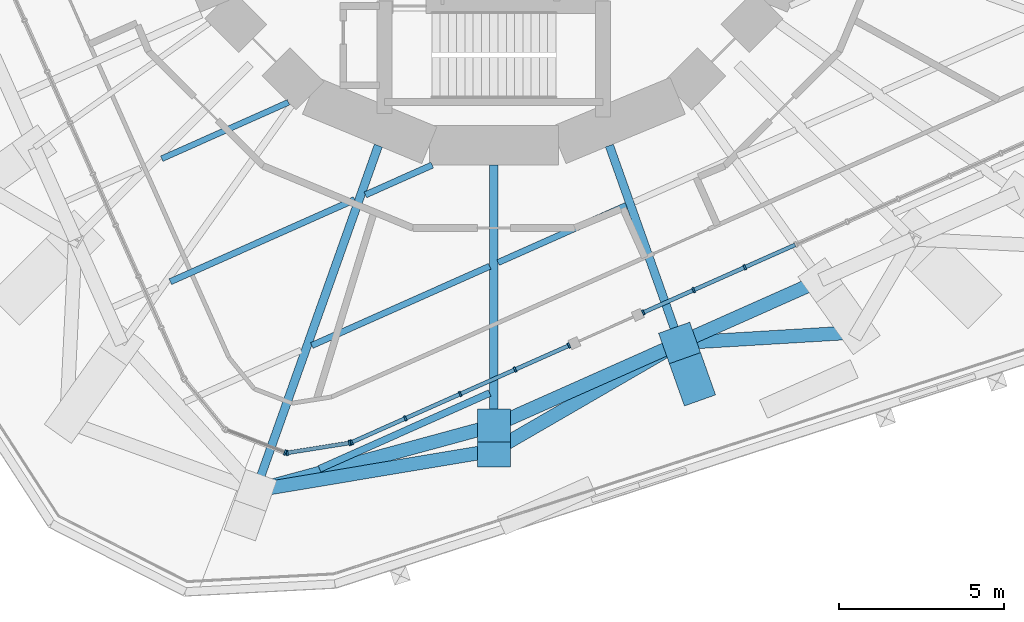
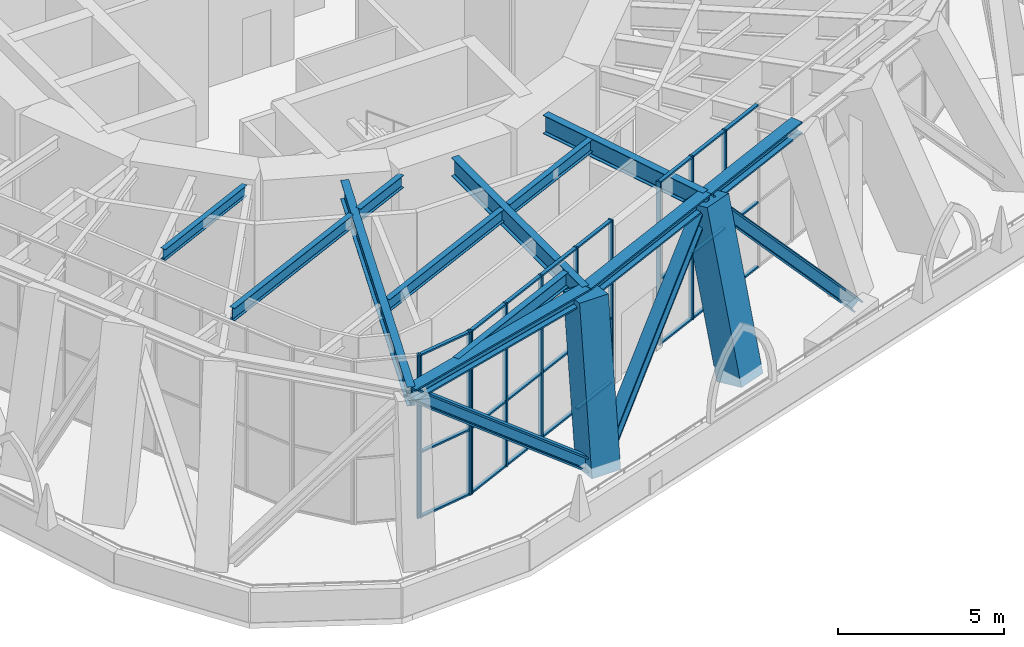
# One storey, part 2 of 18: 43 members, 9 beams, 4 elements without a shape of their own.
"""IFC4 building model written with IfcOpenShell, lengths in metres."""

from ifc_helpers import new_model, si_unit, direction, frame, origin, origin_2d, place, context, subcontext, project, spatial, rectangle, i_section, extrude, material, material_profile, profile_set, type_object, element, aggregate, save


model = new_model("IFC4")

# Units and contexts
model_context = context("Model", 3, precision=1e-05, world=origin(), true_north=direction((0.0, 1.0)))
body_context = subcontext(model_context, "Body", "Model", "MODEL_VIEW")
ifc_project = project(units=[si_unit("LENGTHUNIT", "METRE"), si_unit("AREAUNIT", "SQUARE_METRE"), si_unit("VOLUMEUNIT", "CUBIC_METRE"), si_unit("PLANEANGLEUNIT", "RADIAN"), si_unit("MASSUNIT", "GRAM", prefix="KILO")], contexts=[model_context])

# Site, building, storey
site_placement = place(None, origin())
site = spatial("IfcSite", under=ifc_project, at=site_placement, CompositionType="ELEMENT")
building_placement = place(site_placement, origin())
building = spatial("IfcBuilding", under=site, at=building_placement, Name="Nakasero Lantern House", CompositionType="ELEMENT")
storey_placement = place(building_placement, frame((0.0, 0.0, 176.449951171875)))
storey = spatial("IfcBuildingStorey", under=building, at=storey_placement, Name="L43", CompositionType="ELEMENT", Elevation=176.449951171875)

# Members
ifc_material_1 = material(Name="Steel S355", Category="steel")
ifc_material_profile_1 = material_profile(ifc_material_1, i_section(OverallWidth=0.412109375, OverallDepth=0.4365234375, WebThickness=0.035888671875, FlangeThickness=0.05810546875, FilletRadius=0.01513671875, at=origin_2d()), Name="UC 356x406x467")
ifc_profile_set_1 = profile_set([ifc_material_profile_1], Name="Steel S355")
member_type_1 = type_object("IfcMemberType", Name="Belt truss chord UC 356x406x467", PredefinedType="CHORD", material=ifc_profile_set_1)
member_1_placement = place(storey_placement, frame((-7.19482421875, -20.2353515625, 5.581787109375), z_axis=(0.965015017941, 0.26219461312, 0.0), x_axis=(-0.26219461312, 0.965015017941, 0.0)))
element("IfcMember", 1, at=member_1_placement, inside=storey, type_object=member_type_1, Name="Belt truss top chord T4 B5-C20T", PredefinedType="CHORD", context=body_context, shape_type="SweptSolid", body=[
    extrude(i_section(OverallWidth=0.412109375, OverallDepth=0.4365234375, WebThickness=0.035888671875, FlangeThickness=0.05810546875, FilletRadius=0.01513671875, at=origin_2d()), origin(), (0.0, 0.0, 1.0), 7.45556640625),
])
member_2_placement = place(storey_placement, frame((0.0, -18.280517578125, 5.581787109375), z_axis=(0.913532698569, 0.406765299215, 0.0), x_axis=(-0.406765299215, 0.913532698569, 0.0)))
element("IfcMember", 2, at=member_2_placement, inside=storey, type_object=member_type_1, Name="Belt truss top chord T4 B5-C21T", PredefinedType="CHORD", context=body_context, shape_type="SweptSolid", body=[
    extrude(i_section(OverallWidth=0.412109375, OverallDepth=0.4365234375, WebThickness=0.035888671875, FlangeThickness=0.05810546875, FilletRadius=0.01513671875, at=origin_2d()), origin(), (0.0, 0.0, 1.0), 6.142333984375),
])
member_3_placement = place(storey_placement, frame((5.611328125, -15.781982421875, 5.581787109375), z_axis=(0.913561058639, 0.406701600856, 0.0), x_axis=(-0.406701600856, 0.913561058639, 0.0)))
element("IfcMember", 3, at=member_3_placement, inside=storey, type_object=member_type_1, Name="Belt truss top chord T4 B5-C22T", PredefinedType="CHORD", context=body_context, shape_type="SweptSolid", body=[
    extrude(i_section(OverallWidth=0.412109375, OverallDepth=0.4365234375, WebThickness=0.035888671875, FlangeThickness=0.05810546875, FilletRadius=0.01513671875, at=origin_2d()), origin(), (0.0, 0.0, 1.0), 4.66552734375),
])
ifc_material_2 = material(Name="Steel S355", Category="steel")
ifc_material_profile_2 = material_profile(ifc_material_2, i_section(OverallWidth=0.412109375, OverallDepth=0.4365234375, WebThickness=0.035888671875, FlangeThickness=0.05810546875, FilletRadius=0.01513671875, at=origin_2d()), Name="UC 356x406x467")
ifc_profile_set_2 = profile_set([ifc_material_profile_2], Name="Steel S355")
member_type_2 = type_object("IfcMemberType", Name="Belt truss diagonal UC 356x406x467", PredefinedType="BRACE", material=ifc_profile_set_2)
member_4_placement = place(storey_placement, frame((-7.19482421875, -20.2353515625, 5.581787109375), z_axis=(0.761731318786, 0.127454941735, -0.635232741448), x_axis=(-0.165028505636, 0.986288797628, 0.0)))
element("IfcMember", 4, at=member_4_placement, inside=storey, type_object=member_type_2, Name="Belt truss diagonal T4-20", PredefinedType="BRACE", context=body_context, shape_type="SweptSolid", body=[
    extrude(i_section(OverallWidth=0.412109375, OverallDepth=0.4365234375, WebThickness=0.035888671875, FlangeThickness=0.05810546875, FilletRadius=0.01513671875, at=origin_2d()), origin(), (0.0, 0.0, 1.0), 9.4453125),
])
member_5_placement = place(storey_placement, frame((0.0, -19.031494140625, -0.418212890625), z_axis=(0.635169188668, 0.367825526504, 0.679164548412), x_axis=(-0.501134222309, 0.865369569162, 0.0)))
element("IfcMember", 5, at=member_5_placement, inside=storey, type_object=member_type_2, Name="Belt truss diagonal T4-21", PredefinedType="BRACE", context=body_context, shape_type="SweptSolid", body=[
    extrude(i_section(OverallWidth=0.412109375, OverallDepth=0.4365234375, WebThickness=0.035888671875, FlangeThickness=0.05810546875, FilletRadius=0.01513671875, at=origin_2d()), origin(), (0.0, 0.0, 1.0), 8.83447265625),
])
member_6_placement = place(storey_placement, frame((5.611328125, -15.781982421875, 5.581787109375), z_axis=(0.66720161227, 0.039980645489, -0.743803439472), x_axis=(-0.059815589761, 0.998209444566, 0.0)))
element("IfcMember", 6, at=member_6_placement, inside=storey, type_object=member_type_2, Name="Belt truss diagonal T4-22", PredefinedType="BRACE", context=body_context, shape_type="SweptSolid", body=[
    extrude(i_section(OverallWidth=0.412109375, OverallDepth=0.4365234375, WebThickness=0.035888671875, FlangeThickness=0.05810546875, FilletRadius=0.01513671875, at=origin_2d()), origin(), (0.0, 0.0, 1.0), 8.066650390625),
])

# Beams
ifc_material_3 = material(Name="Steel S355", Category="steel")
ifc_material_profile_3 = material_profile(ifc_material_3, i_section(OverallWidth=0.177978515625, OverallDepth=0.406494140625, WebThickness=0.0078125, FlangeThickness=0.0126953125, FilletRadius=0.01025390625, at=origin_2d()), Name="UB 406x178x60")
ifc_profile_set_3 = profile_set([ifc_material_profile_3], Name="Steel S355")
beam_type_1 = type_object("IfcBeamType", Name="Infill beam UB 406x178x60", PredefinedType="JOIST", material=ifc_profile_set_3)
beam_1_placement = place(storey_placement, frame((-10.03564453125, -10.21484375, 5.596923828125), z_axis=(0.9135518518, 0.406722281258, 0.0), x_axis=(-0.406722281258, 0.9135518518, 0.0)))
element("IfcBeam", 7, at=beam_1_placement, inside=storey, type_object=beam_type_1, Name="Infill beam L44 06.2", PredefinedType="JOIST", context=body_context, shape_type="SweptSolid", body=[
    extrude(i_section(OverallWidth=0.177978515625, OverallDepth=0.406494140625, WebThickness=0.0078125, FlangeThickness=0.0126953125, FilletRadius=0.01025390625, at=origin_2d()), origin(), (0.0, 0.0, 1.0), 4.18994140625),
])
ifc_material_4 = material(Name="Steel S355", Category="steel")
ifc_material_profile_4 = material_profile(ifc_material_4, i_section(OverallWidth=0.18994140625, OverallDepth=0.453369140625, WebThickness=0.008544921875, FlangeThickness=0.0126953125, FilletRadius=0.01025390625, at=origin_2d()), Name="UB 457x191x67")
ifc_profile_set_4 = profile_set([ifc_material_profile_4], Name="Steel S355")
beam_type_2 = type_object("IfcBeamType", Name="Infill beam UB 457x191x67", PredefinedType="JOIST", material=ifc_profile_set_4)
beam_2_placement = place(storey_placement, frame((-5.503173828125, -15.859375, 5.5732421875), z_axis=(0.913551328744, 0.40672345611, 0.0), x_axis=(-0.40672345611, 0.913551328744, 0.0)))
element("IfcBeam", 8, at=beam_2_placement, inside=storey, type_object=beam_type_2, Name="Infill beam L44 04.2", PredefinedType="JOIST", context=body_context, shape_type="SweptSolid", body=[
    extrude(i_section(OverallWidth=0.18994140625, OverallDepth=0.453369140625, WebThickness=0.008544921875, FlangeThickness=0.0126953125, FilletRadius=0.01025390625, at=origin_2d()), origin(), (0.0, 0.0, 1.0), 5.885009765625),
])
beam_3_placement = place(storey_placement, frame((0.126953125, -13.352783203125, 5.5732421875), z_axis=(0.913547765637, 0.406731459196, 0.0), x_axis=(-0.406731459196, 0.913547765637, 0.0)))
element("IfcBeam", 9, at=beam_3_placement, inside=storey, type_object=beam_type_2, Name="Infill beam L44 04.3", PredefinedType="JOIST", context=body_context, shape_type="SweptSolid", body=[
    extrude(i_section(OverallWidth=0.18994140625, OverallDepth=0.453369140625, WebThickness=0.008544921875, FlangeThickness=0.0126953125, FilletRadius=0.01025390625, at=origin_2d()), origin(), (0.0, 0.0, 1.0), 4.239501953125),
])
ifc_material_5 = material(Name="Steel S355", Category="steel")
ifc_material_profile_5 = material_profile(ifc_material_5, i_section(OverallWidth=0.19140625, OverallDepth=0.4599609375, WebThickness=0.010009765625, FlangeThickness=0.01611328125, FilletRadius=0.01025390625, at=origin_2d()), Name="UB 457x191x82")
ifc_profile_set_5 = profile_set([ifc_material_profile_5], Name="Steel S355")
beam_type_3 = type_object("IfcBeamType", Name="Infill beam UB 457x191x82", PredefinedType="JOIST", material=ifc_profile_set_5)
beam_4_placement = place(storey_placement, frame((-9.778076171875, -13.931640625, 5.570068359375), z_axis=(0.913533974993, 0.40676243255, 0.0), x_axis=(-0.40676243255, 0.913533974993, 0.0)))
element("IfcBeam", 10, at=beam_4_placement, inside=storey, type_object=beam_type_3, Name="Infill beam L44 05.2", PredefinedType="JOIST", context=body_context, shape_type="SweptSolid", body=[
    extrude(i_section(OverallWidth=0.19140625, OverallDepth=0.4599609375, WebThickness=0.010009765625, FlangeThickness=0.01611328125, FilletRadius=0.01025390625, at=origin_2d()), origin(), (0.0, 0.0, 1.0), 6.09814453125),
])
beam_5_placement = place(storey_placement, frame((-3.884765625, -11.3076171875, 5.570068359375), z_axis=(0.913570185623, 0.406681098577, 0.0), x_axis=(-0.406681098577, 0.913570185623, 0.0)))
element("IfcBeam", 11, at=beam_5_placement, inside=storey, type_object=beam_type_3, Name="Infill beam L44 05.3", PredefinedType="JOIST", context=body_context, shape_type="SweptSolid", body=[
    extrude(i_section(OverallWidth=0.19140625, OverallDepth=0.4599609375, WebThickness=0.010009765625, FlangeThickness=0.01611328125, FilletRadius=0.01025390625, at=origin_2d()), origin(), (0.0, 0.0, 1.0), 2.212158203125),
])
ifc_material_6 = material(Name="Steel S355", Category="steel")
ifc_material_profile_6 = material_profile(ifc_material_6, i_section(OverallWidth=0.2099609375, OverallDepth=0.53662109375, WebThickness=0.0107421875, FlangeThickness=0.017333984375, FilletRadius=0.0126953125, at=origin_2d()), Name="UB 533x210x101")
ifc_profile_set_6 = profile_set([ifc_material_profile_6], Name="Steel S355")
beam_type_4 = type_object("IfcBeamType", Name="Infill beam UB 533x210x101", PredefinedType="JOIST", material=ifc_profile_set_6)
beam_6_placement = place(storey_placement, frame((-5.26953125, -19.586669921875, 5.53173828125), z_axis=(0.913550244227, 0.406725892061, 0.0), x_axis=(-0.406725892061, 0.913550244227, 0.0)))
element("IfcBeam", 12, at=beam_6_placement, inside=storey, type_object=beam_type_4, Name="Infill beam L44 03.1", PredefinedType="JOIST", context=body_context, shape_type="SweptSolid", body=[
    extrude(i_section(OverallWidth=0.2099609375, OverallDepth=0.53662109375, WebThickness=0.0107421875, FlangeThickness=0.017333984375, FilletRadius=0.0126953125, at=origin_2d()), origin(), (0.0, 0.0, 1.0), 5.629150390625),
])

# Curtain wall, member
ifc_material_7 = material(Name="Aluminium 6063-T6 and glass", Category="aluminium")
curtain_wall_type = type_object("IfcCurtainWallType", Name="Sky lounge glazing CW-3", PredefinedType="USERDEFINED", material=ifc_material_7)
curtain_wall_1_placement = place(storey_placement, origin())
curtain_wall_1 = element("IfcCurtainWall", 13, at=curtain_wall_1_placement, inside=storey, type_object=curtain_wall_type, Name="Curtain wall CW-3 L43", ObjectType="STICK CURTAIN WALL", PredefinedType="USERDEFINED")
ifc_material_8 = material(Name="Aluminium 6063-T6", Category="aluminium")
ifc_material_profile_7 = material_profile(ifc_material_8, rectangle(XDim=0.06005859375, YDim=0.159912109375, at=origin_2d()), Name="CW-3 mullion 60x160")
ifc_profile_set_7 = profile_set([ifc_material_profile_7], Name="Aluminium 6063-T6")
member_type_3 = type_object("IfcMemberType", Name="Mullion CW-3", PredefinedType="MULLION", material=ifc_profile_set_7)
member_7_placement = place(storey_placement, frame((-6.3056640625, -19.0966796875, 0.0), z_axis=(0.0, 0.0, 1.0), x_axis=(0.933580426497, -0.358367949545, 0.0)))
member_7 = element("IfcMember", 14, at=member_7_placement, type_object=member_type_3, Name="CW-3 mullion 2", PredefinedType="MULLION", context=body_context, shape_type="SweptSolid", body=[
    extrude(rectangle(XDim=0.06005859375, YDim=0.159912109375, at=origin_2d()), origin(), (0.0, 0.0, 1.0), 6.0),
])
aggregate(curtain_wall_1, [member_7])

# Curtain wall, members
curtain_wall_2_placement = place(storey_placement, origin())
curtain_wall_2 = element("IfcCurtainWall", 15, at=curtain_wall_2_placement, inside=storey, type_object=curtain_wall_type, Name="Curtain wall CW-3 L43", ObjectType="STICK CURTAIN WALL", PredefinedType="USERDEFINED")
member_8_placement = place(storey_placement, frame((-6.247802734375, -19.102783203125, 0.0), z_axis=(0.0, 0.0, 1.0), x_axis=(0.987688340595, 0.15643446504, 0.0)))
member_8 = element("IfcMember", 16, at=member_8_placement, type_object=member_type_3, Name="CW-3 mullion 1", PredefinedType="MULLION", context=body_context, shape_type="SweptSolid", body=[
    extrude(rectangle(XDim=0.06005859375, YDim=0.159912109375, at=origin_2d()), origin(), (0.0, 0.0, 1.0), 6.0),
])
member_9_placement = place(storey_placement, frame((-4.357666015625, -18.80322265625, 0.0), z_axis=(0.0, 0.0, 1.0), x_axis=(0.987688340595, 0.15643446504, 0.0)))
member_9 = element("IfcMember", 17, at=member_9_placement, type_object=member_type_3, Name="CW-3 mullion 2", PredefinedType="MULLION", context=body_context, shape_type="SweptSolid", body=[
    extrude(rectangle(XDim=0.06005859375, YDim=0.159912109375, at=origin_2d()), origin(), (0.0, 0.0, 1.0), 6.0),
])

curtain_wall_3_placement = place(storey_placement, origin())
curtain_wall_3 = element("IfcCurtainWall", 18, at=curtain_wall_3_placement, inside=storey, type_object=curtain_wall_type, Name="Curtain wall CW-3 L43", ObjectType="STICK CURTAIN WALL", PredefinedType="USERDEFINED")
member_10_placement = place(storey_placement, frame((-4.30078125, -18.786376953125, 0.0), z_axis=(0.0, 0.0, 1.0), x_axis=(0.913545457643, 0.406736643076, 0.0)))
member_10 = element("IfcMember", 19, at=member_10_placement, type_object=member_type_3, Name="CW-3 mullion 1", PredefinedType="MULLION", context=body_context, shape_type="SweptSolid", body=[
    extrude(rectangle(XDim=0.06005859375, YDim=0.159912109375, at=origin_2d()), origin(), (0.0, 0.0, 1.0), 6.0),
])
member_11_placement = place(storey_placement, frame((-2.67236328125, -18.0615234375, 0.0), z_axis=(0.0, 0.0, 1.0), x_axis=(0.913545457643, 0.406736643076, 0.0)))
member_11 = element("IfcMember", 20, at=member_11_placement, type_object=member_type_3, Name="CW-3 mullion 2", PredefinedType="MULLION", context=body_context, shape_type="SweptSolid", body=[
    extrude(rectangle(XDim=0.06005859375, YDim=0.159912109375, at=origin_2d()), origin(), (0.0, 0.0, 1.0), 6.0),
])
member_12_placement = place(storey_placement, frame((-1.0166015625, -17.32421875, 0.0), z_axis=(0.0, 0.0, 1.0), x_axis=(0.913545457643, 0.406736643076, 0.0)))
member_12 = element("IfcMember", 21, at=member_12_placement, type_object=member_type_3, Name="CW-3 mullion 3", PredefinedType="MULLION", context=body_context, shape_type="SweptSolid", body=[
    extrude(rectangle(XDim=0.06005859375, YDim=0.159912109375, at=origin_2d()), origin(), (0.0, 0.0, 1.0), 6.0),
])
member_13_placement = place(storey_placement, frame((0.639404296875, -16.5869140625, 0.0), z_axis=(0.0, 0.0, 1.0), x_axis=(0.913545457643, 0.406736643076, 0.0)))
member_13 = element("IfcMember", 22, at=member_13_placement, type_object=member_type_3, Name="CW-3 mullion 4", PredefinedType="MULLION", context=body_context, shape_type="SweptSolid", body=[
    extrude(rectangle(XDim=0.06005859375, YDim=0.159912109375, at=origin_2d()), origin(), (0.0, 0.0, 1.0), 6.0),
])
member_14_placement = place(storey_placement, frame((2.267822265625, -15.862060546875, 0.0), z_axis=(0.0, 0.0, 1.0), x_axis=(0.913545457643, 0.406736643076, 0.0)))
member_14 = element("IfcMember", 23, at=member_14_placement, type_object=member_type_3, Name="CW-3 mullion 5", PredefinedType="MULLION", context=body_context, shape_type="SweptSolid", body=[
    extrude(rectangle(XDim=0.06005859375, YDim=0.159912109375, at=origin_2d()), origin(), (0.0, 0.0, 1.0), 6.0),
])

curtain_wall_4_placement = place(storey_placement, origin())
curtain_wall_4 = element("IfcCurtainWall", 24, at=curtain_wall_4_placement, inside=storey, type_object=curtain_wall_type, Name="Curtain wall CW-3 L43", ObjectType="STICK CURTAIN WALL", PredefinedType="USERDEFINED")
member_15_placement = place(storey_placement, frame((4.51513671875, -14.861328125, 0.0), z_axis=(0.0, 0.0, 1.0), x_axis=(0.913545457643, 0.406736643076, 0.0)))
member_15 = element("IfcMember", 25, at=member_15_placement, type_object=member_type_3, Name="CW-3 mullion 1", PredefinedType="MULLION", context=body_context, shape_type="SweptSolid", body=[
    extrude(rectangle(XDim=0.06005859375, YDim=0.159912109375, at=origin_2d()), origin(), (0.0, 0.0, 1.0), 6.0),
])
member_16_placement = place(storey_placement, frame((6.034912109375, -14.184814453125, 0.0), z_axis=(0.0, 0.0, 1.0), x_axis=(0.913545457643, 0.406736643076, 0.0)))
member_16 = element("IfcMember", 26, at=member_16_placement, type_object=member_type_3, Name="CW-3 mullion 2", PredefinedType="MULLION", context=body_context, shape_type="SweptSolid", body=[
    extrude(rectangle(XDim=0.06005859375, YDim=0.159912109375, at=origin_2d()), origin(), (0.0, 0.0, 1.0), 6.0),
])
member_17_placement = place(storey_placement, frame((7.582275390625, -13.495849609375, 0.0), z_axis=(0.0, 0.0, 1.0), x_axis=(0.913545457643, 0.406736643076, 0.0)))
member_17 = element("IfcMember", 27, at=member_17_placement, type_object=member_type_3, Name="CW-3 mullion 3", PredefinedType="MULLION", context=body_context, shape_type="SweptSolid", body=[
    extrude(rectangle(XDim=0.06005859375, YDim=0.159912109375, at=origin_2d()), origin(), (0.0, 0.0, 1.0), 6.0),
])

# Beams
ifc_material_9 = material(Name="Steel S355", Category="steel")
ifc_material_profile_8 = material_profile(ifc_material_9, i_section(OverallWidth=0.253662109375, OverallDepth=0.68359375, WebThickness=0.012451171875, FlangeThickness=0.01904296875, FilletRadius=0.01513671875, at=origin_2d()), Name="UB 686x254x140")
ifc_profile_set_8 = profile_set([ifc_material_profile_8], Name="Steel S355")
beam_type_5 = type_object("IfcBeamType", Name="Primary beam UB 686x254x140, span 6 to 9 m", PredefinedType="BEAM", material=ifc_profile_set_8)
beam_7_placement = place(storey_placement, frame((0.0, -18.280517578125, 5.458251953125), z_axis=(0.0, 1.0, 0.0), x_axis=(-1.0, 0.0, 0.0)))
element("IfcBeam", 28, at=beam_7_placement, inside=storey, type_object=beam_type_5, Name="Primary beam L44 B5-C21T", PredefinedType="BEAM", context=body_context, shape_type="SweptSolid", body=[
    extrude(i_section(OverallWidth=0.253662109375, OverallDepth=0.68359375, WebThickness=0.012451171875, FlangeThickness=0.01904296875, FilletRadius=0.01513671875, at=origin_2d()), origin(), (0.0, 0.0, 1.0), 7.87255859375),
])
beam_8_placement = place(storey_placement, frame((5.611328125, -15.781982421875, 5.458251953125), z_axis=(-0.335018800731, 0.942211442913, 0.0), x_axis=(-0.942211442913, -0.335018800731, 0.0)))
element("IfcBeam", 29, at=beam_8_placement, inside=storey, type_object=beam_type_5, Name="Primary beam L44 B5-C22T", PredefinedType="BEAM", context=body_context, shape_type="SweptSolid", body=[
    extrude(i_section(OverallWidth=0.253662109375, OverallDepth=0.68359375, WebThickness=0.012451171875, FlangeThickness=0.01904296875, FilletRadius=0.01513671875, at=origin_2d()), origin(), (0.0, 0.0, 1.0), 6.328369140625),
])
ifc_material_10 = material(Name="Steel S355", Category="steel")
ifc_material_profile_9 = material_profile(ifc_material_10, i_section(OverallWidth=0.255859375, OverallDepth=0.69287109375, WebThickness=0.014404296875, FlangeThickness=0.023681640625, FilletRadius=0.01513671875, at=origin_2d()), Name="UB 686x254x170")
ifc_profile_set_9 = profile_set([ifc_material_profile_9], Name="Steel S355")
beam_type_6 = type_object("IfcBeamType", Name="Primary beam UB 686x254x170, span 9 to 12 m", PredefinedType="BEAM", material=ifc_profile_set_9)
beam_9_placement = place(storey_placement, frame((-7.19482421875, -20.2353515625, 5.45361328125), z_axis=(0.335020995468, 0.942210662535, 0.0), x_axis=(-0.942210662535, 0.335020995468, 0.0)))
element("IfcBeam", 30, at=beam_9_placement, inside=storey, type_object=beam_type_6, Name="Primary beam L44 B5-C20T", PredefinedType="BEAM", context=body_context, shape_type="SweptSolid", body=[
    extrude(i_section(OverallWidth=0.255859375, OverallDepth=0.69287109375, WebThickness=0.014404296875, FlangeThickness=0.023681640625, FilletRadius=0.01513671875, at=origin_2d()), origin(), (0.0, 0.0, 1.0), 11.054931640625),
])

# Members
ifc_material_11 = material(Name="Concrete C50/60", Category="concrete")
ifc_material_profile_10 = material_profile(ifc_material_11, rectangle(XDim=1.0, YDim=1.0, at=origin_2d()), Name="RC 1000x1000")
ifc_profile_set_10 = profile_set([ifc_material_profile_10], Name="Concrete C50/60")
member_type_4 = type_object("IfcMemberType", Name="Raking column RC 1000x1000 C50/60", PredefinedType="STRUT", material=ifc_profile_set_10)
member_18_placement = place(storey_placement, frame((0.0, -19.031494140625, -0.418212890625), z_axis=(0.0, 0.1241937487, 0.992257987009), x_axis=(-1.0, 0.0, 0.0)))
element("IfcMember", 31, at=member_18_placement, inside=storey, type_object=member_type_4, Name="Raking column B5-C21T L43", PredefinedType="STRUT", context=body_context, shape_type="SweptSolid", body=[
    extrude(rectangle(XDim=1.0, YDim=1.0, at=origin_2d()), origin(), (0.0, 0.0, 1.0), 6.046875),
])
member_19_placement = place(storey_placement, frame((6.06591796875, -17.060546875, -0.418212890625), z_axis=(-0.073898606932, 0.207844792965, 0.975366360877), x_axis=(-0.942217214275, -0.335002568833, 0.0)))
element("IfcMember", 32, at=member_19_placement, inside=storey, type_object=member_type_4, Name="Raking column B5-C22T L43", PredefinedType="STRUT", context=body_context, shape_type="SweptSolid", body=[
    extrude(rectangle(XDim=1.0, YDim=1.0, at=origin_2d()), origin(), (0.0, 0.0, 1.0), 6.151611328125),
])

# Member
ifc_material_12 = material(Name="Aluminium 6063-T6", Category="aluminium")
ifc_material_profile_11 = material_profile(ifc_material_12, rectangle(XDim=0.06005859375, YDim=0.1201171875, at=origin_2d()), Name="CW-3 transom 60x120")
ifc_profile_set_11 = profile_set([ifc_material_profile_11], Name="Aluminium 6063-T6")
member_type_5 = type_object("IfcMemberType", Name="Transom CW-3", PredefinedType="USERDEFINED", material=ifc_profile_set_11)
member_20_placement = place(storey_placement, frame((-6.21826171875, -19.097900390625, 0.030029296875), z_axis=(0.987703088658, 0.156341321008, 0.0), x_axis=(0.0, 0.0, 1.0)))
member_20 = element("IfcMember", 33, at=member_20_placement, type_object=member_type_5, Name="CW-3 transom 1.1", ObjectType="TRANSOM", PredefinedType="USERDEFINED", context=body_context, shape_type="SweptSolid", body=[
    extrude(rectangle(XDim=0.06005859375, YDim=0.1201171875, at=origin_2d()), origin(), (0.0, 0.0, 1.0), 1.853515625),
])

member_21_placement = place(storey_placement, frame((-6.21826171875, -19.097900390625, 2.400146484375), z_axis=(0.987703088658, 0.156341321008, 0.0), x_axis=(0.0, 0.0, 1.0)))
member_21 = element("IfcMember", 34, at=member_21_placement, type_object=member_type_5, Name="CW-3 transom 1.2", ObjectType="TRANSOM", PredefinedType="USERDEFINED", context=body_context, shape_type="SweptSolid", body=[
    extrude(rectangle(XDim=0.06005859375, YDim=0.1201171875, at=origin_2d()), origin(), (0.0, 0.0, 1.0), 1.853515625),
])

member_22_placement = place(storey_placement, frame((-6.21826171875, -19.097900390625, 5.969970703125), z_axis=(0.987703088658, 0.156341321008, 0.0), x_axis=(0.0, 0.0, 1.0)))
member_22 = element("IfcMember", 35, at=member_22_placement, type_object=member_type_5, Name="CW-3 transom 1.3", ObjectType="TRANSOM", PredefinedType="USERDEFINED", context=body_context, shape_type="SweptSolid", body=[
    extrude(rectangle(XDim=0.06005859375, YDim=0.1201171875, at=origin_2d()), origin(), (0.0, 0.0, 1.0), 1.853515625),
])

aggregate(curtain_wall_2, [member_8, member_9, member_20, member_21, member_22])

member_23_placement = place(storey_placement, frame((-4.273193359375, -18.774169921875, 0.030029296875), z_axis=(0.913571731571, 0.406677625737, 0.0), x_axis=(0.0, 0.0, 1.0)))
member_23 = element("IfcMember", 36, at=member_23_placement, type_object=member_type_5, Name="CW-3 transom 1.1", ObjectType="TRANSOM", PredefinedType="USERDEFINED", context=body_context, shape_type="SweptSolid", body=[
    extrude(rectangle(XDim=0.06005859375, YDim=0.1201171875, at=origin_2d()), origin(), (0.0, 0.0, 1.0), 1.722412109375),
])

member_24_placement = place(storey_placement, frame((-4.273193359375, -18.774169921875, 2.400146484375), z_axis=(0.913571731571, 0.406677625737, 0.0), x_axis=(0.0, 0.0, 1.0)))
member_24 = element("IfcMember", 37, at=member_24_placement, type_object=member_type_5, Name="CW-3 transom 1.2", ObjectType="TRANSOM", PredefinedType="USERDEFINED", context=body_context, shape_type="SweptSolid", body=[
    extrude(rectangle(XDim=0.06005859375, YDim=0.1201171875, at=origin_2d()), origin(), (0.0, 0.0, 1.0), 1.722412109375),
])

member_25_placement = place(storey_placement, frame((-4.273193359375, -18.774169921875, 5.969970703125), z_axis=(0.913571731571, 0.406677625737, 0.0), x_axis=(0.0, 0.0, 1.0)))
member_25 = element("IfcMember", 38, at=member_25_placement, type_object=member_type_5, Name="CW-3 transom 1.3", ObjectType="TRANSOM", PredefinedType="USERDEFINED", context=body_context, shape_type="SweptSolid", body=[
    extrude(rectangle(XDim=0.06005859375, YDim=0.1201171875, at=origin_2d()), origin(), (0.0, 0.0, 1.0), 1.722412109375),
])

member_26_placement = place(storey_placement, frame((-2.644775390625, -18.04931640625, 0.030029296875), z_axis=(0.913512556201, 0.406810532882, 0.0), x_axis=(0.0, 0.0, 1.0)))
member_26 = element("IfcMember", 39, at=member_26_placement, type_object=member_type_5, Name="CW-3 transom 2.1", ObjectType="TRANSOM", PredefinedType="USERDEFINED", context=body_context, shape_type="SweptSolid", body=[
    extrude(rectangle(XDim=0.06005859375, YDim=0.1201171875, at=origin_2d()), origin(), (0.0, 0.0, 1.0), 1.75244140625),
])

member_27_placement = place(storey_placement, frame((-2.644775390625, -18.04931640625, 2.400146484375), z_axis=(0.913512556201, 0.406810532882, 0.0), x_axis=(0.0, 0.0, 1.0)))
member_27 = element("IfcMember", 40, at=member_27_placement, type_object=member_type_5, Name="CW-3 transom 2.2", ObjectType="TRANSOM", PredefinedType="USERDEFINED", context=body_context, shape_type="SweptSolid", body=[
    extrude(rectangle(XDim=0.06005859375, YDim=0.1201171875, at=origin_2d()), origin(), (0.0, 0.0, 1.0), 1.75244140625),
])

member_28_placement = place(storey_placement, frame((-2.644775390625, -18.04931640625, 5.969970703125), z_axis=(0.913512556201, 0.406810532882, 0.0), x_axis=(0.0, 0.0, 1.0)))
member_28 = element("IfcMember", 41, at=member_28_placement, type_object=member_type_5, Name="CW-3 transom 2.3", ObjectType="TRANSOM", PredefinedType="USERDEFINED", context=body_context, shape_type="SweptSolid", body=[
    extrude(rectangle(XDim=0.06005859375, YDim=0.1201171875, at=origin_2d()), origin(), (0.0, 0.0, 1.0), 1.75244140625),
])

member_29_placement = place(storey_placement, frame((-0.989013671875, -17.31201171875, 0.030029296875), z_axis=(0.913512556201, 0.406810532882, 0.0), x_axis=(0.0, 0.0, 1.0)))
member_29 = element("IfcMember", 42, at=member_29_placement, type_object=member_type_5, Name="CW-3 transom 3.1", ObjectType="TRANSOM", PredefinedType="USERDEFINED", context=body_context, shape_type="SweptSolid", body=[
    extrude(rectangle(XDim=0.06005859375, YDim=0.1201171875, at=origin_2d()), origin(), (0.0, 0.0, 1.0), 1.75244140625),
])

member_30_placement = place(storey_placement, frame((-0.989013671875, -17.31201171875, 2.400146484375), z_axis=(0.913512556201, 0.406810532882, 0.0), x_axis=(0.0, 0.0, 1.0)))
member_30 = element("IfcMember", 43, at=member_30_placement, type_object=member_type_5, Name="CW-3 transom 3.2", ObjectType="TRANSOM", PredefinedType="USERDEFINED", context=body_context, shape_type="SweptSolid", body=[
    extrude(rectangle(XDim=0.06005859375, YDim=0.1201171875, at=origin_2d()), origin(), (0.0, 0.0, 1.0), 1.75244140625),
])

member_31_placement = place(storey_placement, frame((-0.989013671875, -17.31201171875, 5.969970703125), z_axis=(0.913512556201, 0.406810532882, 0.0), x_axis=(0.0, 0.0, 1.0)))
member_31 = element("IfcMember", 44, at=member_31_placement, type_object=member_type_5, Name="CW-3 transom 3.3", ObjectType="TRANSOM", PredefinedType="USERDEFINED", context=body_context, shape_type="SweptSolid", body=[
    extrude(rectangle(XDim=0.06005859375, YDim=0.1201171875, at=origin_2d()), origin(), (0.0, 0.0, 1.0), 1.75244140625),
])

member_32_placement = place(storey_placement, frame((0.666748046875, -16.57470703125, 0.030029296875), z_axis=(0.913571731571, 0.406677625737, 0.0), x_axis=(0.0, 0.0, 1.0)))
member_32 = element("IfcMember", 45, at=member_32_placement, type_object=member_type_5, Name="CW-3 transom 4.1", ObjectType="TRANSOM", PredefinedType="USERDEFINED", context=body_context, shape_type="SweptSolid", body=[
    extrude(rectangle(XDim=0.06005859375, YDim=0.1201171875, at=origin_2d()), origin(), (0.0, 0.0, 1.0), 1.722412109375),
])

member_33_placement = place(storey_placement, frame((0.666748046875, -16.57470703125, 2.400146484375), z_axis=(0.913571731571, 0.406677625737, 0.0), x_axis=(0.0, 0.0, 1.0)))
member_33 = element("IfcMember", 46, at=member_33_placement, type_object=member_type_5, Name="CW-3 transom 4.2", ObjectType="TRANSOM", PredefinedType="USERDEFINED", context=body_context, shape_type="SweptSolid", body=[
    extrude(rectangle(XDim=0.06005859375, YDim=0.1201171875, at=origin_2d()), origin(), (0.0, 0.0, 1.0), 1.722412109375),
])

member_34_placement = place(storey_placement, frame((0.666748046875, -16.57470703125, 5.969970703125), z_axis=(0.913571731571, 0.406677625737, 0.0), x_axis=(0.0, 0.0, 1.0)))
member_34 = element("IfcMember", 47, at=member_34_placement, type_object=member_type_5, Name="CW-3 transom 4.3", ObjectType="TRANSOM", PredefinedType="USERDEFINED", context=body_context, shape_type="SweptSolid", body=[
    extrude(rectangle(XDim=0.06005859375, YDim=0.1201171875, at=origin_2d()), origin(), (0.0, 0.0, 1.0), 1.722412109375),
])

aggregate(curtain_wall_3, [member_10, member_11, member_12, member_13, member_14, member_23, member_24, member_25, member_26, member_27, member_28, member_29, member_30, member_31, member_32, member_33, member_34])

member_35_placement = place(storey_placement, frame((4.54248046875, -14.84912109375, 0.030029296875), z_axis=(0.913591687182, 0.406632793945, 0.0), x_axis=(0.0, 0.0, 1.0)))
member_35 = element("IfcMember", 48, at=member_35_placement, type_object=member_type_5, Name="CW-3 transom 1.1", ObjectType="TRANSOM", PredefinedType="USERDEFINED", context=body_context, shape_type="SweptSolid", body=[
    extrude(rectangle(XDim=0.06005859375, YDim=0.1201171875, at=origin_2d()), origin(), (0.0, 0.0, 1.0), 1.603759765625),
])

member_36_placement = place(storey_placement, frame((4.54248046875, -14.84912109375, 2.400146484375), z_axis=(0.913591687182, 0.406632793945, 0.0), x_axis=(0.0, 0.0, 1.0)))
member_36 = element("IfcMember", 49, at=member_36_placement, type_object=member_type_5, Name="CW-3 transom 1.2", ObjectType="TRANSOM", PredefinedType="USERDEFINED", context=body_context, shape_type="SweptSolid", body=[
    extrude(rectangle(XDim=0.06005859375, YDim=0.1201171875, at=origin_2d()), origin(), (0.0, 0.0, 1.0), 1.603759765625),
])

member_37_placement = place(storey_placement, frame((4.54248046875, -14.84912109375, 5.969970703125), z_axis=(0.913591687182, 0.406632793945, 0.0), x_axis=(0.0, 0.0, 1.0)))
member_37 = element("IfcMember", 50, at=member_37_placement, type_object=member_type_5, Name="CW-3 transom 1.3", ObjectType="TRANSOM", PredefinedType="USERDEFINED", context=body_context, shape_type="SweptSolid", body=[
    extrude(rectangle(XDim=0.06005859375, YDim=0.1201171875, at=origin_2d()), origin(), (0.0, 0.0, 1.0), 1.603759765625),
])

member_38_placement = place(storey_placement, frame((6.062255859375, -14.172607421875, 0.030029296875), z_axis=(0.913552574201, 0.406720658648, 0.0), x_axis=(0.0, 0.0, 1.0)))
member_38 = element("IfcMember", 51, at=member_38_placement, type_object=member_type_5, Name="CW-3 transom 2.1", ObjectType="TRANSOM", PredefinedType="USERDEFINED", context=body_context, shape_type="SweptSolid", body=[
    extrude(rectangle(XDim=0.06005859375, YDim=0.1201171875, at=origin_2d()), origin(), (0.0, 0.0, 1.0), 1.634033203125),
])

member_39_placement = place(storey_placement, frame((6.062255859375, -14.172607421875, 2.400146484375), z_axis=(0.913552574201, 0.406720658648, 0.0), x_axis=(0.0, 0.0, 1.0)))
member_39 = element("IfcMember", 52, at=member_39_placement, type_object=member_type_5, Name="CW-3 transom 2.2", ObjectType="TRANSOM", PredefinedType="USERDEFINED", context=body_context, shape_type="SweptSolid", body=[
    extrude(rectangle(XDim=0.06005859375, YDim=0.1201171875, at=origin_2d()), origin(), (0.0, 0.0, 1.0), 1.634033203125),
])

member_40_placement = place(storey_placement, frame((6.062255859375, -14.172607421875, 5.969970703125), z_axis=(0.913552574201, 0.406720658648, 0.0), x_axis=(0.0, 0.0, 1.0)))
member_40 = element("IfcMember", 53, at=member_40_placement, type_object=member_type_5, Name="CW-3 transom 2.3", ObjectType="TRANSOM", PredefinedType="USERDEFINED", context=body_context, shape_type="SweptSolid", body=[
    extrude(rectangle(XDim=0.06005859375, YDim=0.1201171875, at=origin_2d()), origin(), (0.0, 0.0, 1.0), 1.634033203125),
])

member_41_placement = place(storey_placement, frame((7.609619140625, -13.483642578125, 0.030029296875), z_axis=(0.913527851865, 0.406776183997, 0.0), x_axis=(0.0, 0.0, 1.0)))
member_41 = element("IfcMember", 54, at=member_41_placement, type_object=member_type_5, Name="CW-3 transom 3.1", ObjectType="TRANSOM", PredefinedType="USERDEFINED", context=body_context, shape_type="SweptSolid", body=[
    extrude(rectangle(XDim=0.06005859375, YDim=0.1201171875, at=origin_2d()), origin(), (0.0, 0.0, 1.0), 1.6337890625),
])

member_42_placement = place(storey_placement, frame((7.609619140625, -13.483642578125, 2.400146484375), z_axis=(0.913527851865, 0.406776183997, 0.0), x_axis=(0.0, 0.0, 1.0)))
member_42 = element("IfcMember", 55, at=member_42_placement, type_object=member_type_5, Name="CW-3 transom 3.2", ObjectType="TRANSOM", PredefinedType="USERDEFINED", context=body_context, shape_type="SweptSolid", body=[
    extrude(rectangle(XDim=0.06005859375, YDim=0.1201171875, at=origin_2d()), origin(), (0.0, 0.0, 1.0), 1.6337890625),
])

member_43_placement = place(storey_placement, frame((7.609619140625, -13.483642578125, 5.969970703125), z_axis=(0.913527851865, 0.406776183997, 0.0), x_axis=(0.0, 0.0, 1.0)))
member_43 = element("IfcMember", 56, at=member_43_placement, type_object=member_type_5, Name="CW-3 transom 3.3", ObjectType="TRANSOM", PredefinedType="USERDEFINED", context=body_context, shape_type="SweptSolid", body=[
    extrude(rectangle(XDim=0.06005859375, YDim=0.1201171875, at=origin_2d()), origin(), (0.0, 0.0, 1.0), 1.6337890625),
])

aggregate(curtain_wall_4, [member_15, member_16, member_17, member_35, member_36, member_37, member_38, member_39, member_40, member_41, member_42, member_43])

save(model, "model.ifc")
